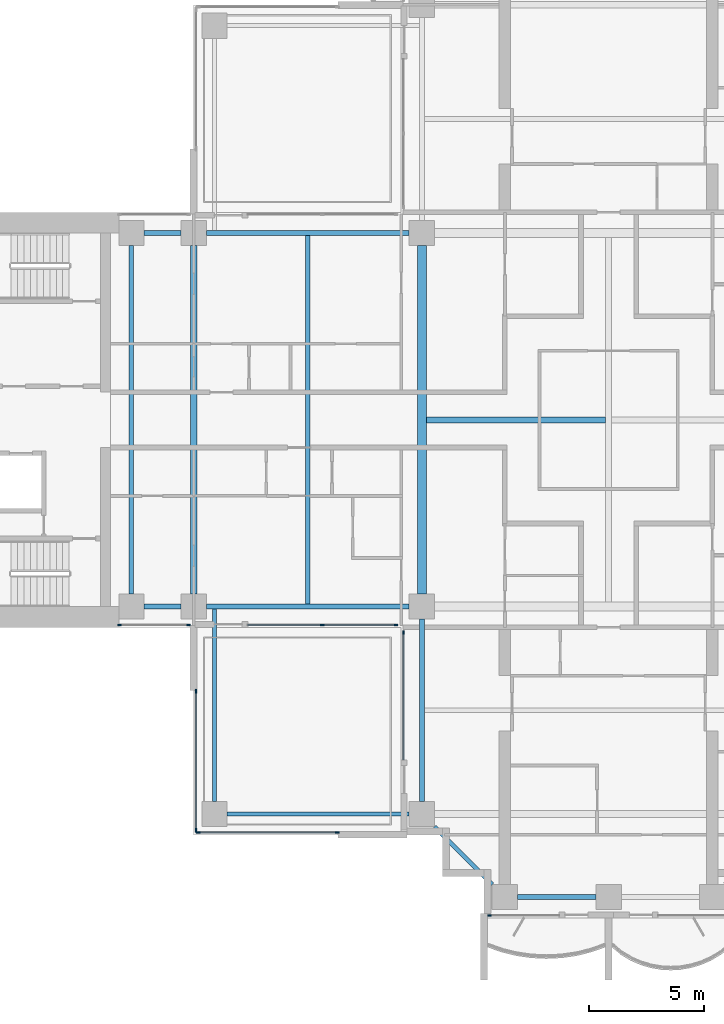
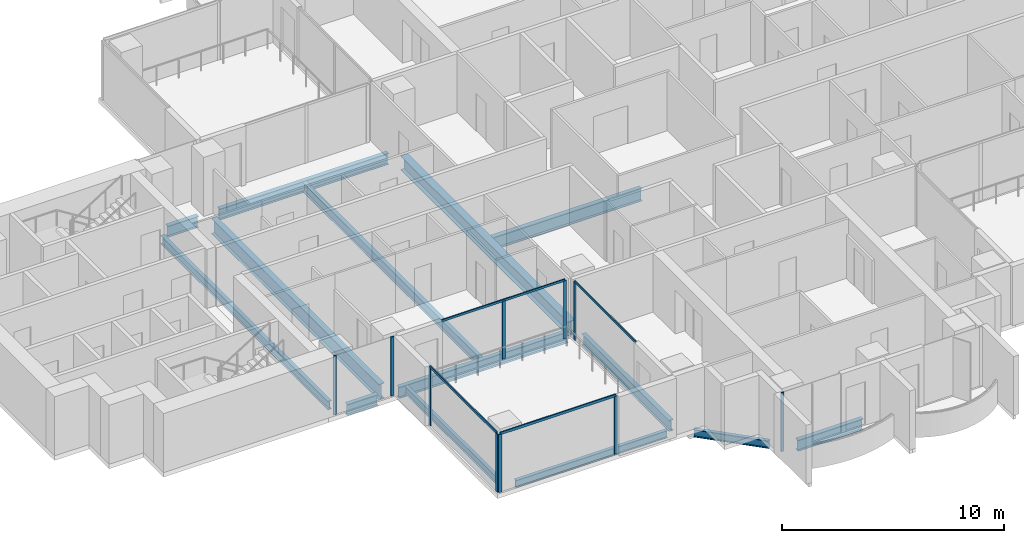
# One storey, part 2 of 19: 14 beams, 14 members, 6 elements without a shape of their own.
"""IFC4 building model written with IfcOpenShell, lengths in metres."""

from ifc_helpers import new_model, si_unit, direction, frame, origin, origin_2d, place, context, subcontext, project, spatial, rectangle, i_section, extrude, material, material_profile, profile_set, type_object, element, aggregate, save


model = new_model("IFC4")

# Units and contexts
model_context = context("Model", 3, precision=1e-05, world=origin(), true_north=direction((0.0, 1.0)))
body_context = subcontext(model_context, "Body", "Model", "MODEL_VIEW")
ifc_project = project(units=[si_unit("LENGTHUNIT", "METRE"), si_unit("AREAUNIT", "SQUARE_METRE"), si_unit("VOLUMEUNIT", "CUBIC_METRE"), si_unit("PLANEANGLEUNIT", "RADIAN"), si_unit("MASSUNIT", "GRAM", prefix="KILO")], contexts=[model_context])

# Site, building, storey
site_placement = place(None, origin())
site = spatial("IfcSite", under=ifc_project, at=site_placement, CompositionType="ELEMENT")
building_placement = place(site_placement, origin())
building = spatial("IfcBuilding", under=site, at=building_placement, Name="Perihelion Cross Residences", CompositionType="ELEMENT")
storey_placement = place(building_placement, frame((0.0, 0.0, 119.89990234375)))
storey = spatial("IfcBuildingStorey", under=building, at=storey_placement, Name="L28", CompositionType="ELEMENT", Elevation=119.89990234375)

# Curtain wall, members
ifc_material_1 = material(Name="Bronze anodised aluminium, tinted glazing", Category="aluminium")
curtain_wall_type_1 = type_object("IfcCurtainWallType", Name="CW1", PredefinedType="NOTDEFINED", material=ifc_material_1)
curtain_wall_1_placement = place(storey_placement, origin())
curtain_wall_1 = element("IfcCurtainWall", 1, at=curtain_wall_1_placement, inside=storey, type_object=curtain_wall_type_1, Name="Curtain wall CW1 L28 west side south bay 1", PredefinedType="NOTDEFINED")
ifc_material_2 = material(Name="Bronze anodised aluminium", Category="aluminium")
ifc_material_profile_1 = material_profile(ifc_material_2, rectangle(XDim=0.06005859375, YDim=0.159912109375, at=origin_2d()), Name="CW1 mullion")
ifc_profile_set_1 = profile_set([ifc_material_profile_1], Name="Bronze anodised aluminium")
member_type_1 = type_object("IfcMemberType", Name="CW1 mullion", PredefinedType="MULLION", material=ifc_profile_set_1)
member_1_placement = place(storey_placement, frame((-21.219970703125, -8.89990234375, 0.0), z_axis=(0.0, 0.0, 1.0), x_axis=(0.0, 1.0, 0.0)))
member_1 = element("IfcMember", 2, at=member_1_placement, type_object=member_type_1, Name="CW1 mullion 1", PredefinedType="MULLION", context=body_context, shape_type="SweptSolid", body=[
    extrude(rectangle(XDim=0.06005859375, YDim=0.159912109375, at=origin_2d()), origin(), (0.0, 0.0, 1.0), 3.25),
])
member_2_placement = place(storey_placement, frame((-18.22998046875, -8.89990234375, 0.0), z_axis=(0.0, 0.0, 1.0), x_axis=(0.0, 1.0, 0.0)))
member_2 = element("IfcMember", 3, at=member_2_placement, type_object=member_type_1, Name="CW1 mullion 2", PredefinedType="MULLION", context=body_context, shape_type="SweptSolid", body=[
    extrude(rectangle(XDim=0.06005859375, YDim=0.159912109375, at=origin_2d()), origin(), (0.0, 0.0, 1.0), 3.25),
])
aggregate(curtain_wall_1, [member_1, member_2])

curtain_wall_2_placement = place(storey_placement, origin())
curtain_wall_2 = element("IfcCurtainWall", 4, at=curtain_wall_2_placement, inside=storey, type_object=curtain_wall_type_1, Name="Curtain wall CW1 L28 west side south bay 2", PredefinedType="NOTDEFINED")
member_3_placement = place(storey_placement, frame((-12.425048828125, -8.89990234375, 0.0), z_axis=(0.0, 0.0, 1.0), x_axis=(0.0, 1.0, 0.0)))
member_3 = element("IfcMember", 5, at=member_3_placement, type_object=member_type_1, Name="CW1 mullion 2", PredefinedType="MULLION", context=body_context, shape_type="SweptSolid", body=[
    extrude(rectangle(XDim=0.06005859375, YDim=0.159912109375, at=origin_2d()), origin(), (0.0, 0.0, 1.0), 3.190185546875),
])
member_4_placement = place(storey_placement, frame((-9.22998046875, -8.89990234375, 0.0), z_axis=(0.0, 0.0, 1.0), x_axis=(0.0, 1.0, 0.0)))
member_4 = element("IfcMember", 6, at=member_4_placement, type_object=member_type_1, Name="CW1 mullion 3", PredefinedType="MULLION", context=body_context, shape_type="SweptSolid", body=[
    extrude(rectangle(XDim=0.06005859375, YDim=0.159912109375, at=origin_2d()), origin(), (0.0, 0.0, 1.0), 3.190185546875),
])

# Curtain wall, member
curtain_wall_3_placement = place(storey_placement, origin())
curtain_wall_3 = element("IfcCurtainWall", 7, at=curtain_wall_3_placement, inside=storey, type_object=curtain_wall_type_1, Name="Curtain wall CW1 L28 south side west bay 1", PredefinedType="NOTDEFINED")
member_5_placement = place(storey_placement, frame((-8.89990234375, -9.22998046875, 0.0), z_axis=(0.0, 0.0, 1.0), x_axis=(1.0, 0.0, 0.0)))
member_5 = element("IfcMember", 8, at=member_5_placement, type_object=member_type_1, Name="CW1 mullion 1", PredefinedType="MULLION", context=body_context, shape_type="SweptSolid", body=[
    extrude(rectangle(XDim=0.06005859375, YDim=0.159912109375, at=origin_2d()), origin(), (0.0, 0.0, 1.0), 3.190185546875),
])

curtain_wall_4_placement = place(storey_placement, origin())
curtain_wall_4 = element("IfcCurtainWall", 9, at=curtain_wall_4_placement, inside=storey, type_object=curtain_wall_type_1, Name="Curtain wall CW1 L28 south tip south bay 1", PredefinedType="NOTDEFINED")
member_6_placement = place(storey_placement, frame((-5.169921875, -21.5, 0.0), z_axis=(0.0, 0.0, 1.0), x_axis=(0.0, 1.0, 0.0)))
member_6 = element("IfcMember", 10, at=member_6_placement, type_object=member_type_1, Name="CW1 mullion 1", PredefinedType="MULLION", context=body_context, shape_type="SweptSolid", body=[
    extrude(rectangle(XDim=0.06005859375, YDim=0.159912109375, at=origin_2d()), origin(), (0.0, 0.0, 1.0), 3.25),
])
aggregate(curtain_wall_4, [member_6])

# Member
ifc_material_3 = material(Name="Bronze anodised aluminium", Category="aluminium")
ifc_material_profile_2 = material_profile(ifc_material_3, rectangle(XDim=0.06005859375, YDim=0.1201171875, at=origin_2d()), Name="CW1 transom")
ifc_profile_set_2 = profile_set([ifc_material_profile_2], Name="Bronze anodised aluminium")
member_type_2 = type_object("IfcMemberType", Name="CW1 transom", PredefinedType="USERDEFINED", material=ifc_profile_set_2)
member_7_placement = place(storey_placement, frame((-15.64990234375, -8.89990234375, 3.22021484375), z_axis=(1.0, 0.0, 0.0), x_axis=(0.0, 1.0, 0.0)))
member_7 = element("IfcMember", 11, at=member_7_placement, type_object=member_type_2, Name="CW1 head transom", ObjectType="TRANSOM", PredefinedType="USERDEFINED", context=body_context, shape_type="SweptSolid", body=[
    extrude(rectangle(XDim=0.06005859375, YDim=0.1201171875, at=origin_2d()), origin(), (0.0, 0.0, 1.0), 6.419921875),
])

aggregate(curtain_wall_2, [member_3, member_4, member_7])

member_8_placement = place(storey_placement, frame((-8.89990234375, -9.22998046875, 3.22021484375), z_axis=(0.0, -1.0, 0.0), x_axis=(1.0, 0.0, 0.0)))
member_8 = element("IfcMember", 12, at=member_8_placement, type_object=member_type_2, Name="CW1 head transom", ObjectType="TRANSOM", PredefinedType="USERDEFINED", context=body_context, shape_type="SweptSolid", body=[
    extrude(rectangle(XDim=0.06005859375, YDim=0.1201171875, at=origin_2d()), origin(), (0.0, 0.0, 1.0), 5.52001953125),
])

aggregate(curtain_wall_3, [member_5, member_8])

# Curtain wall, members
ifc_material_4 = material(Name="Bronze anodised aluminium, tinted glazing", Category="aluminium")
curtain_wall_type_2 = type_object("IfcCurtainWallType", Name="CW4", PredefinedType="NOTDEFINED", material=ifc_material_4)
curtain_wall_5_placement = place(storey_placement, origin())
curtain_wall_5 = element("IfcCurtainWall", 13, at=curtain_wall_5_placement, inside=storey, type_object=curtain_wall_type_2, Name="Curtain wall CW4 L28 pocket south-west 1 1", PredefinedType="NOTDEFINED")
ifc_material_5 = material(Name="Bronze anodised aluminium", Category="aluminium")
ifc_material_profile_3 = material_profile(ifc_material_5, rectangle(XDim=0.06005859375, YDim=0.179931640625, at=origin_2d()), Name="CW4 mullion")
ifc_profile_set_3 = profile_set([ifc_material_profile_3], Name="Bronze anodised aluminium")
member_type_3 = type_object("IfcMemberType", Name="CW4 mullion", PredefinedType="MULLION", material=ifc_profile_set_3)
member_9_placement = place(storey_placement, frame((-11.77001953125, -17.89990234375, 0.0), z_axis=(0.0, 0.0, 1.0), x_axis=(0.0, -1.0, 0.0)))
member_9 = element("IfcMember", 14, at=member_9_placement, type_object=member_type_3, Name="CW4 mullion 1", PredefinedType="MULLION", context=body_context, shape_type="SweptSolid", body=[
    extrude(rectangle(XDim=0.06005859375, YDim=0.179931640625, at=origin_2d()), origin(), (0.0, 0.0, 1.0), 3.190185546875),
])
member_10_placement = place(storey_placement, frame((-17.800048828125, -17.89990234375, 0.0), z_axis=(0.0, 0.0, 1.0), x_axis=(0.0, -1.0, 0.0)))
member_10 = element("IfcMember", 15, at=member_10_placement, type_object=member_type_3, Name="CW4 mullion 2", PredefinedType="MULLION", context=body_context, shape_type="SweptSolid", body=[
    extrude(rectangle(XDim=0.06005859375, YDim=0.179931640625, at=origin_2d()), origin(), (0.0, 0.0, 1.0), 3.190185546875),
])

curtain_wall_6_placement = place(storey_placement, origin())
curtain_wall_6 = element("IfcCurtainWall", 16, at=curtain_wall_6_placement, inside=storey, type_object=curtain_wall_type_2, Name="Curtain wall CW4 L28 pocket south-west 1 2", PredefinedType="NOTDEFINED")
member_11_placement = place(storey_placement, frame((-17.89990234375, -17.800048828125, 0.0), z_axis=(0.0, 0.0, 1.0), x_axis=(-1.0, 0.0, 0.0)))
member_11 = element("IfcMember", 17, at=member_11_placement, type_object=member_type_3, Name="CW4 mullion 1", PredefinedType="MULLION", context=body_context, shape_type="SweptSolid", body=[
    extrude(rectangle(XDim=0.06005859375, YDim=0.179931640625, at=origin_2d()), origin(), (0.0, 0.0, 1.0), 3.190185546875),
])
member_12_placement = place(storey_placement, frame((-17.89990234375, -11.77001953125, 0.0), z_axis=(0.0, 0.0, 1.0), x_axis=(-1.0, 0.0, 0.0)))
member_12 = element("IfcMember", 18, at=member_12_placement, type_object=member_type_3, Name="CW4 mullion 2", PredefinedType="MULLION", context=body_context, shape_type="SweptSolid", body=[
    extrude(rectangle(XDim=0.06005859375, YDim=0.179931640625, at=origin_2d()), origin(), (0.0, 0.0, 1.0), 3.190185546875),
])

# Member
ifc_material_6 = material(Name="Bronze anodised aluminium", Category="aluminium")
ifc_material_profile_4 = material_profile(ifc_material_6, rectangle(XDim=0.06005859375, YDim=0.139892578125, at=origin_2d()), Name="CW4 transom")
ifc_profile_set_4 = profile_set([ifc_material_profile_4], Name="Bronze anodised aluminium")
member_type_4 = type_object("IfcMemberType", Name="CW4 transom", PredefinedType="USERDEFINED", material=ifc_profile_set_4)
member_13_placement = place(storey_placement, frame((-11.77001953125, -17.89990234375, 3.22021484375), z_axis=(-1.0, 0.0, 0.0), x_axis=(0.0, -1.0, 0.0)))
member_13 = element("IfcMember", 19, at=member_13_placement, type_object=member_type_4, Name="CW4 head transom", ObjectType="TRANSOM", PredefinedType="USERDEFINED", context=body_context, shape_type="SweptSolid", body=[
    extrude(rectangle(XDim=0.06005859375, YDim=0.139892578125, at=origin_2d()), origin(), (0.0, 0.0, 1.0), 6.030029296875),
])

aggregate(curtain_wall_5, [member_9, member_10, member_13])

member_14_placement = place(storey_placement, frame((-17.89990234375, -17.800048828125, 3.22021484375), z_axis=(0.0, 1.0, 0.0), x_axis=(-1.0, 0.0, 0.0)))
member_14 = element("IfcMember", 20, at=member_14_placement, type_object=member_type_4, Name="CW4 head transom", ObjectType="TRANSOM", PredefinedType="USERDEFINED", context=body_context, shape_type="SweptSolid", body=[
    extrude(rectangle(XDim=0.06005859375, YDim=0.139892578125, at=origin_2d()), origin(), (0.0, 0.0, 1.0), 6.030029296875),
])

aggregate(curtain_wall_6, [member_11, member_12, member_14])

# Beams
ifc_material_7 = material(Name="Steel S355", Category="steel")
ifc_material_profile_5 = material_profile(ifc_material_7, i_section(OverallWidth=0.177978515625, OverallDepth=0.406005859375, WebThickness=0.0078125, FlangeThickness=0.0126953125, at=origin_2d()), Name="W410x60")
ifc_profile_set_5 = profile_set([ifc_material_profile_5], Name="Steel S355")
beam_type_1 = type_object("IfcBeamType", Name="Core edge beam W410x60", PredefinedType="BEAM", material=ifc_profile_set_5)
beam_1_placement = place(storey_placement, frame((-17.10009765625, -8.214599609375, -0.452880859375), z_axis=(0.0, -1.0, 0.0), x_axis=(1.0, 0.0, 0.0)))
element("IfcBeam", 21, at=beam_1_placement, inside=storey, type_object=beam_type_1, Name="Core edge beam TB2 L28 corner no. 1", PredefinedType="BEAM", context=body_context, shape_type="SweptSolid", body=[
    extrude(i_section(OverallWidth=0.177978515625, OverallDepth=0.406005859375, WebThickness=0.0078125, FlangeThickness=0.0126953125, at=origin_2d()), origin(), (0.0, 0.0, 1.0), 8.33544921875),
])
beam_2_placement = place(storey_placement, frame((-8.64990234375, -17.10009765625, -0.452880859375), z_axis=(-1.0, 0.0, 0.0), x_axis=(0.0, -1.0, 0.0)))
element("IfcBeam", 22, at=beam_2_placement, inside=storey, type_object=beam_type_1, Name="Core edge beam TB2 L28 corner no. 2", PredefinedType="BEAM", context=body_context, shape_type="SweptSolid", body=[
    extrude(i_section(OverallWidth=0.177978515625, OverallDepth=0.406005859375, WebThickness=0.0078125, FlangeThickness=0.0126953125, at=origin_2d()), origin(), (0.0, 0.0, 1.0), 7.900146484375),
])
ifc_material_8 = material(Name="Steel S355", Category="steel")
ifc_material_profile_6 = material_profile(ifc_material_8, i_section(OverallWidth=0.194091796875, OverallDepth=0.469970703125, WebThickness=0.0126953125, FlangeThickness=0.0205078125, at=origin_2d()), Name="W460x106")
ifc_profile_set_6 = profile_set([ifc_material_profile_6], Name="Steel S355")
beam_type_2 = type_object("IfcBeamType", Name="Core edge beam W460x106", PredefinedType="BEAM", material=ifc_profile_set_6)
beam_3_placement = place(storey_placement, frame((-20.699951171875, -7.550048828125, -0.48486328125), z_axis=(0.0, 1.0, 0.0), x_axis=(-1.0, 0.0, 0.0)))
element("IfcBeam", 23, at=beam_3_placement, inside=storey, type_object=beam_type_2, Name="Core edge beam TB5 L28 no. 1", PredefinedType="BEAM", context=body_context, shape_type="SweptSolid", body=[
    extrude(i_section(OverallWidth=0.194091796875, OverallDepth=0.469970703125, WebThickness=0.0126953125, FlangeThickness=0.0205078125, at=origin_2d()), origin(), (0.0, 0.0, 1.0), 15.10009765625),
])
ifc_material_9 = material(Name="Steel S355", Category="steel")
ifc_material_profile_7 = material_profile(ifc_material_9, i_section(OverallWidth=0.22900390625, OverallDepth=0.612060546875, WebThickness=0.011962890625, FlangeThickness=0.01953125, at=origin_2d()), Name="W610x125")
ifc_profile_set_7 = profile_set([ifc_material_profile_7], Name="Steel S355")
beam_type_3 = type_object("IfcBeamType", Name="Edge beam W610x125", PredefinedType="SPANDREL", material=ifc_profile_set_7)
beam_4_placement = place(storey_placement, frame((-8.64990234375, 8.10009765625, -0.555908203125), z_axis=(-1.0, 0.0, 0.0), x_axis=(0.0, -1.0, 0.0)))
element("IfcBeam", 24, at=beam_4_placement, inside=storey, type_object=beam_type_3, Name="Edge beam SB3 L28 no. 8", PredefinedType="SPANDREL", context=body_context, shape_type="SweptSolid", body=[
    extrude(i_section(OverallWidth=0.22900390625, OverallDepth=0.612060546875, WebThickness=0.011962890625, FlangeThickness=0.01953125, at=origin_2d()), origin(), (0.0, 0.0, 1.0), 8.800048828125),
])
for number, where, z_axis, x_axis, name in (
    (25, (-18.550048828125, 8.10009765625, -0.555908203125), (-1.0, 0.0, 0.0), (0.0, -1.0, 0.0), "Edge beam SB3 L28 no. 2"),
    (26, (-20.14990234375, -8.10009765625, -0.555908203125), (1.0, 0.0, 0.0), (0.0, 1.0, 0.0), "Edge beam SB3 L28 no. 3"),
):
    element("IfcBeam", number, at=place(storey_placement, frame(where, z_axis=z_axis, x_axis=x_axis)), inside=storey, type_object=beam_type_3, Name=name, PredefinedType="SPANDREL", context=body_context, shape_type="SweptSolid", body=[
        extrude(i_section(OverallWidth=0.22900390625, OverallDepth=0.612060546875, WebThickness=0.011962890625, FlangeThickness=0.01953125, at=origin_2d()), origin(), (0.0, 0.0, 1.0), 1.599853515625),
    ])
beam_5_placement = place(storey_placement, frame((-17.449951171875, -8.10009765625, -0.555908203125), z_axis=(1.0, 0.0, 0.0), x_axis=(0.0, 1.0, 0.0)))
element("IfcBeam", 27, at=beam_5_placement, inside=storey, type_object=beam_type_3, Name="Edge beam SB3 L28 no. 1", PredefinedType="SPANDREL", context=body_context, shape_type="SweptSolid", body=[
    extrude(i_section(OverallWidth=0.22900390625, OverallDepth=0.612060546875, WebThickness=0.011962890625, FlangeThickness=0.01953125, at=origin_2d()), origin(), (0.0, 0.0, 1.0), 8.800048828125),
])
beam_6_placement = place(storey_placement, frame((-8.10009765625, -8.64990234375, -0.555908203125), z_axis=(0.0, -1.0, 0.0), x_axis=(1.0, 0.0, 0.0)))
element("IfcBeam", 28, at=beam_6_placement, inside=storey, type_object=beam_type_3, Name="Edge beam SB3 L28 no. 5", PredefinedType="SPANDREL", context=body_context, shape_type="SweptSolid", body=[
    extrude(i_section(OverallWidth=0.22900390625, OverallDepth=0.612060546875, WebThickness=0.011962890625, FlangeThickness=0.01953125, at=origin_2d()), origin(), (0.0, 0.0, 1.0), 7.900146484375),
])
beam_7_placement = place(storey_placement, frame((-3.949951171875, -20.699951171875, -0.555908203125), z_axis=(1.0, 0.0, 0.0), x_axis=(0.0, 1.0, 0.0)))
element("IfcBeam", 29, at=beam_7_placement, inside=storey, type_object=beam_type_3, Name="Edge beam SB3 L28 no. 4", PredefinedType="SPANDREL", context=body_context, shape_type="SweptSolid", body=[
    extrude(i_section(OverallWidth=0.22900390625, OverallDepth=0.612060546875, WebThickness=0.011962890625, FlangeThickness=0.01953125, at=origin_2d()), origin(), (0.0, 0.0, 1.0), 3.39990234375),
])
ifc_material_10 = material(Name="Steel S355", Category="steel")
ifc_material_profile_8 = material_profile(ifc_material_10, i_section(OverallWidth=0.2919921875, OverallDepth=0.8359375, WebThickness=0.013916015625, FlangeThickness=0.018798828125, at=origin_2d()), Name="W840x176")
ifc_profile_set_8 = profile_set([ifc_material_profile_8], Name="Steel S355")
beam_type_4 = type_object("IfcBeamType", Name="Floor girder W840x176", PredefinedType="BEAM", material=ifc_profile_set_8)
beam_8_placement = place(storey_placement, frame((-18.0, -7.550048828125, -0.66796875), z_axis=(0.0, 1.0, 0.0), x_axis=(-1.0, 0.0, 0.0)))
element("IfcBeam", 30, at=beam_8_placement, inside=storey, type_object=beam_type_4, Name="Girder G3 L28 no. 1", PredefinedType="BEAM", context=body_context, shape_type="SweptSolid", body=[
    extrude(i_section(OverallWidth=0.2919921875, OverallDepth=0.8359375, WebThickness=0.013916015625, FlangeThickness=0.018798828125, at=origin_2d()), origin(), (0.0, 0.0, 1.0), 15.10009765625),
])
ifc_material_11 = material(Name="Steel S355", Category="steel")
ifc_material_profile_9 = material_profile(ifc_material_11, i_section(OverallWidth=0.208984375, OverallDepth=0.532958984375, WebThickness=0.01025390625, FlangeThickness=0.015625, at=origin_2d()), Name="W530x92")
ifc_profile_set_9 = profile_set([ifc_material_profile_9], Name="Steel S355")
beam_type_5 = type_object("IfcBeamType", Name="Floor joist W530x92", PredefinedType="JOIST", material=ifc_profile_set_9)
beam_9_placement = place(storey_placement, frame((-13.050048828125, -7.985595703125, -0.516357421875), z_axis=(0.0, 1.0, 0.0), x_axis=(-1.0, 0.0, 0.0)))
element("IfcBeam", 31, at=beam_9_placement, inside=storey, type_object=beam_type_5, Name="Joist J4 L28 no. 1", PredefinedType="JOIST", context=body_context, shape_type="SweptSolid", body=[
    extrude(i_section(OverallWidth=0.208984375, OverallDepth=0.532958984375, WebThickness=0.01025390625, FlangeThickness=0.015625, at=origin_2d()), origin(), (0.0, 0.0, 1.0), 15.97119140625),
])
ifc_material_12 = material(Name="Steel S355", Category="steel")
ifc_material_profile_10 = material_profile(ifc_material_12, i_section(OverallWidth=0.257080078125, OverallDepth=0.693115234375, WebThickness=0.014404296875, FlangeThickness=0.023681640625, at=origin_2d()), Name="W690x170")
ifc_profile_set_10 = profile_set([ifc_material_profile_10], Name="Steel S355")
beam_type_6 = type_object("IfcBeamType", Name="Hub cross beam W690x170", PredefinedType="BEAM", material=ifc_profile_set_10)
beam_10_placement = place(storey_placement, frame((-7.909423828125, 0.0, -0.596435546875), z_axis=(1.0, 0.0, 0.0), x_axis=(0.0, 1.0, 0.0)))
element("IfcBeam", 32, at=beam_10_placement, inside=storey, type_object=beam_type_6, Name="Hub cross beam XB3 L28 1 no. 1", PredefinedType="BEAM", context=body_context, shape_type="SweptSolid", body=[
    extrude(i_section(OverallWidth=0.257080078125, OverallDepth=0.693115234375, WebThickness=0.014404296875, FlangeThickness=0.023681640625, at=origin_2d()), origin(), (0.0, 0.0, 1.0), 7.781005859375),
])
ifc_material_13 = material(Name="Steel S355", Category="steel")
ifc_material_profile_11 = material_profile(ifc_material_13, i_section(OverallWidth=0.381103515625, OverallDepth=0.77197265625, WebThickness=0.0166015625, FlangeThickness=0.027099609375, at=origin_2d()), Name="W760x257")
ifc_profile_set_11 = profile_set([ifc_material_profile_11], Name="Steel S355")
beam_type_7 = type_object("IfcBeamType", Name="Hub ring girder W760x257", PredefinedType="BEAM", material=ifc_profile_set_11)
beam_11_placement = place(storey_placement, frame((-8.10009765625, 7.550048828125, -0.635986328125), z_axis=(0.0, -1.0, 0.0), x_axis=(1.0, 0.0, 0.0)))
element("IfcBeam", 33, at=beam_11_placement, inside=storey, type_object=beam_type_7, Name="Hub ring girder RG3 L28 no. 2", PredefinedType="BEAM", context=body_context, shape_type="SweptSolid", body=[
    extrude(i_section(OverallWidth=0.381103515625, OverallDepth=0.77197265625, WebThickness=0.0166015625, FlangeThickness=0.027099609375, at=origin_2d()), origin(), (0.0, 0.0, 1.0), 15.10009765625),
])
ifc_material_14 = material(Name="Steel S355", Category="steel")
ifc_material_profile_12 = material_profile(ifc_material_14, i_section(OverallWidth=0.180908203125, OverallDepth=0.4169921875, WebThickness=0.010986328125, FlangeThickness=0.018310546875, at=origin_2d()), Name="W410x85")
ifc_profile_set_12 = profile_set([ifc_material_profile_12], Name="Steel S355")
beam_type_8 = type_object("IfcBeamType", Name="Serration edge beam W410x85", PredefinedType="BEAM", material=ifc_profile_set_12)
beam_12_placement = place(storey_placement, frame((-7.550048828125, -17.64990234375, -0.45849609375), z_axis=(0.707106781187, -0.707106781187, 0.0), x_axis=(0.707106781187, 0.707106781187, 0.0)))
element("IfcBeam", 34, at=beam_12_placement, inside=storey, type_object=beam_type_8, Name="Serration edge beam EB3 L28 no. 2", PredefinedType="BEAM", context=body_context, shape_type="SweptSolid", body=[
    extrude(i_section(OverallWidth=0.180908203125, OverallDepth=0.4169921875, WebThickness=0.010986328125, FlangeThickness=0.018310546875, at=origin_2d()), origin(), (0.0, 0.0, 1.0), 3.53564453125),
])

save(model, "model.ifc")
